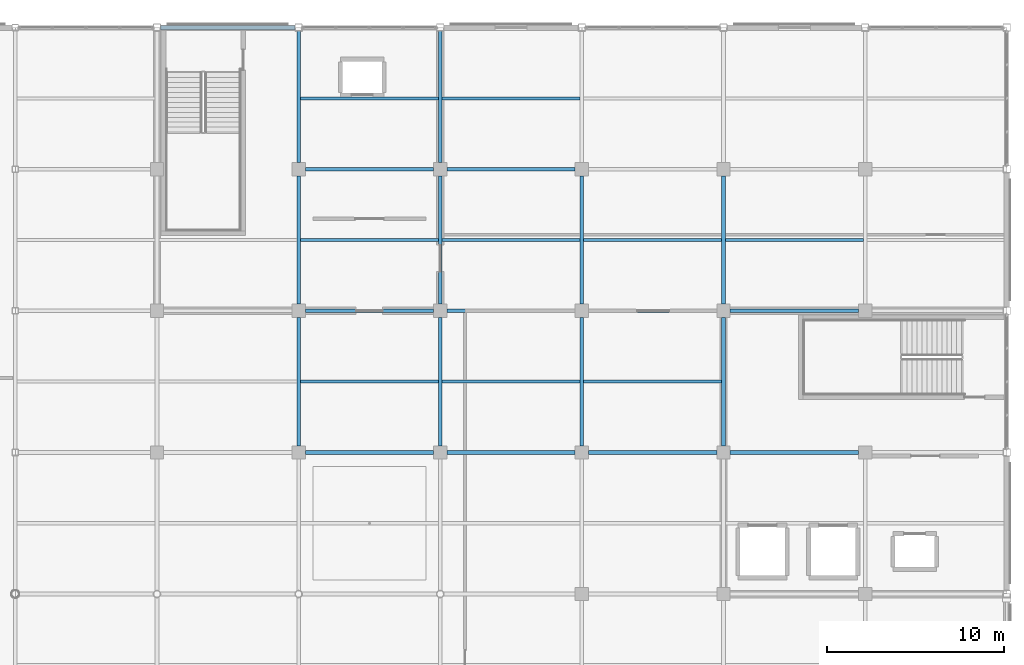
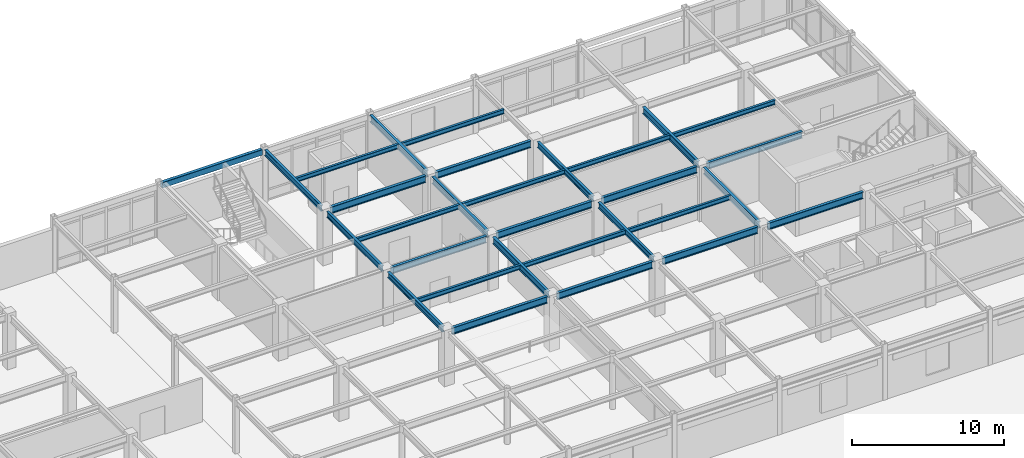
# One storey, part 62 of 111: 30 beams.
"""IFC4 building model written with IfcOpenShell, lengths in metres."""

from ifc_helpers import new_model, si_unit, direction, frame, origin, origin_2d, place, context, subcontext, project, spatial, hollow_rectangle, i_section, extrude, material, material_profile, profile_set, type_object, element, save


model = new_model("IFC4")

# Units and contexts
model_context = context("Model", 3, precision=1e-05, world=origin(), true_north=direction((0.0, 1.0)))
body_context = subcontext(model_context, "Body", "Model", "MODEL_VIEW")
ifc_project = project(units=[si_unit("LENGTHUNIT", "METRE"), si_unit("AREAUNIT", "SQUARE_METRE"), si_unit("VOLUMEUNIT", "CUBIC_METRE"), si_unit("PLANEANGLEUNIT", "RADIAN"), si_unit("MASSUNIT", "GRAM", prefix="KILO")], contexts=[model_context])

# Site, building, storey
site_placement = place(None, origin())
site = spatial("IfcSite", under=ifc_project, at=site_placement, CompositionType="ELEMENT")
building_placement = place(site_placement, origin())
building = spatial("IfcBuilding", under=site, at=building_placement, Name="Solmirada Galleria", CompositionType="ELEMENT")
storey_placement = place(building_placement, frame((0.0, 0.0, 10.39990234375)))
storey = spatial("IfcBuildingStorey", under=building, at=storey_placement, Name="L02", CompositionType="ELEMENT", Elevation=10.39990234375)

# Beams
ifc_material_1 = material(Name="Steel S355 / ASTM A992 Grade 50", Category="steel")
ifc_material_profile_1 = material_profile(ifc_material_1, i_section(OverallWidth=0.194091796875, OverallDepth=0.468994140625, WebThickness=0.0126953125, FlangeThickness=0.0205078125, FilletRadius=0.013916015625, at=origin_2d()), Name="W18X71")
ifc_profile_set_1 = profile_set([ifc_material_profile_1], Name="Steel S355 / ASTM A992 Grade 50")
beam_type_1 = type_object("IfcBeamType", Name="BM-GIRD-W18B", PredefinedType="BEAM", material=ifc_profile_set_1)
for number, where, z_axis, x_axis, name in (
    (1, (136.0, 96.375, 4.065673828125), (0.0, 1.0, 0.0), (-1.0, 0.0, 0.0), "Primary girder L03 Y(136, 96..104)"),
    (2, (136.0, 104.375, 4.065673828125), (0.0, 1.0, 0.0), (-1.0, 0.0, 0.0), "Primary girder L03 Y(136, 104..112)"),
):
    element("IfcBeam", number, at=place(storey_placement, frame(where, z_axis=z_axis, x_axis=x_axis)), inside=storey, type_object=beam_type_1, Name=name, PredefinedType="BEAM", context=body_context, shape_type="SweptSolid", body=[
        extrude(i_section(OverallWidth=0.194091796875, OverallDepth=0.468994140625, WebThickness=0.0126953125, FlangeThickness=0.0205078125, FilletRadius=0.013916015625, at=origin_2d()), origin(), (0.0, 0.0, 1.0), 7.25),
    ])
beam_1_placement = place(storey_placement, frame((136.0, 112.375, 4.065673828125), z_axis=(0.0, 1.0, 0.0), x_axis=(-1.0, 0.0, 0.0)))
element("IfcBeam", 3, at=beam_1_placement, inside=storey, type_object=beam_type_1, Name="Primary girder L03 Y(136, 112..120)", PredefinedType="BEAM", context=body_context, shape_type="SweptSolid", body=[
    extrude(i_section(OverallWidth=0.194091796875, OverallDepth=0.468994140625, WebThickness=0.0126953125, FlangeThickness=0.0205078125, FilletRadius=0.013916015625, at=origin_2d()), origin(), (0.0, 0.0, 1.0), 7.422119140625),
])
for number, where, z_axis, x_axis, name in (
    (4, (152.0, 96.375, 4.065673828125), (0.0, 1.0, 0.0), (-1.0, 0.0, 0.0), "Primary girder L03 Y(152, 96..104)"),
    (5, (152.0, 104.375, 4.065673828125), (0.0, 1.0, 0.0), (-1.0, 0.0, 0.0), "Primary girder L03 Y(152, 104..112)"),
):
    element("IfcBeam", number, at=place(storey_placement, frame(where, z_axis=z_axis, x_axis=x_axis)), inside=storey, type_object=beam_type_1, Name=name, PredefinedType="BEAM", context=body_context, shape_type="SweptSolid", body=[
        extrude(i_section(OverallWidth=0.194091796875, OverallDepth=0.468994140625, WebThickness=0.0126953125, FlangeThickness=0.0205078125, FilletRadius=0.013916015625, at=origin_2d()), origin(), (0.0, 0.0, 1.0), 7.25),
    ])
ifc_material_profile_2 = material_profile(ifc_material_1, i_section(OverallWidth=0.214111328125, OverallDepth=0.549072265625, WebThickness=0.0146484375, FlangeThickness=0.023681640625, FilletRadius=0.014892578125, at=origin_2d()), Name="W21X93")
ifc_profile_set_2 = profile_set([ifc_material_profile_2], Name="Steel S355 / ASTM A992 Grade 50")
beam_type_2 = type_object("IfcBeamType", Name="BM-GIRD-W21A", PredefinedType="BEAM", material=ifc_profile_set_2)
for number, where, z_axis, x_axis, name in (
    (6, (136.375, 96.0, 4.025634765625), (1.0, 0.0, 0.0), (0.0, 1.0, 0.0), "Primary beam L03 X(136..144, 96)"),
    (7, (136.375, 112.0, 4.025634765625), (1.0, 0.0, 0.0), (0.0, 1.0, 0.0), "Primary beam L03 X(136..144, 112)"),
    (8, (144.375, 96.0, 4.025634765625), (1.0, 0.0, 0.0), (0.0, 1.0, 0.0), "Primary beam L03 X(144..152, 96)"),
    (9, (144.375, 112.0, 4.025634765625), (1.0, 0.0, 0.0), (0.0, 1.0, 0.0), "Primary beam L03 X(144..152, 112)"),
    (10, (152.375, 96.0, 4.025634765625), (1.0, 0.0, 0.0), (0.0, 1.0, 0.0), "Primary beam L03 X(152..160, 96)"),
    (11, (160.375, 96.0, 4.025634765625), (1.0, 0.0, 0.0), (0.0, 1.0, 0.0), "Primary beam L03 X(160..168, 96)"),
):
    element("IfcBeam", number, at=place(storey_placement, frame(where, z_axis=z_axis, x_axis=x_axis)), inside=storey, type_object=beam_type_2, Name=name, PredefinedType="BEAM", context=body_context, shape_type="SweptSolid", body=[
        extrude(i_section(OverallWidth=0.214111328125, OverallDepth=0.549072265625, WebThickness=0.0146484375, FlangeThickness=0.023681640625, FilletRadius=0.014892578125, at=origin_2d()), origin(), (0.0, 0.0, 1.0), 7.25),
    ])
ifc_material_profile_3 = material_profile(ifc_material_1, i_section(OverallWidth=0.2099609375, OverallDepth=0.537109375, WebThickness=0.010986328125, FlangeThickness=0.017333984375, FilletRadius=0.014892578125, at=origin_2d()), Name="W21X68")
ifc_profile_set_3 = profile_set([ifc_material_profile_3], Name="Steel S355 / ASTM A992 Grade 50")
beam_type_3 = type_object("IfcBeamType", Name="BM-GIRD-W21B", PredefinedType="BEAM", material=ifc_profile_set_3)
for number, where, z_axis, x_axis, name in (
    (12, (136.375, 104.0, 4.031494140625), (1.0, 0.0, 0.0), (0.0, 1.0, 0.0), "Primary beam L03 X(136..144, 104)"),
    (13, (144.375, 104.0, 4.031494140625), (1.0, 0.0, 0.0), (0.0, 1.0, 0.0), "Primary beam L03 X(144..152, 104)"),
    (14, (152.375, 104.0, 4.031494140625), (1.0, 0.0, 0.0), (0.0, 1.0, 0.0), "Primary beam L03 X(152..160, 104)"),
    (15, (160.375, 104.0, 4.031494140625), (1.0, 0.0, 0.0), (0.0, 1.0, 0.0), "Primary beam L03 X(160..168, 104)"),
    (16, (144.0, 96.375, 4.031494140625), (0.0, 1.0, 0.0), (-1.0, 0.0, 0.0), "Primary girder L03 Y(144, 96..104)"),
    (17, (144.0, 104.375, 4.031494140625), (0.0, 1.0, 0.0), (-1.0, 0.0, 0.0), "Primary girder L03 Y(144, 104..112)"),
):
    element("IfcBeam", number, at=place(storey_placement, frame(where, z_axis=z_axis, x_axis=x_axis)), inside=storey, type_object=beam_type_3, Name=name, PredefinedType="BEAM", context=body_context, shape_type="SweptSolid", body=[
        extrude(i_section(OverallWidth=0.2099609375, OverallDepth=0.537109375, WebThickness=0.010986328125, FlangeThickness=0.017333984375, FilletRadius=0.014892578125, at=origin_2d()), origin(), (0.0, 0.0, 1.0), 7.25),
    ])
beam_2_placement = place(storey_placement, frame((144.0, 112.375, 4.031494140625), z_axis=(0.0, 1.0, 0.0), x_axis=(-1.0, 0.0, 0.0)))
element("IfcBeam", 18, at=beam_2_placement, inside=storey, type_object=beam_type_3, Name="Primary girder L03 Y(144, 112..120)", PredefinedType="BEAM", context=body_context, shape_type="SweptSolid", body=[
    extrude(i_section(OverallWidth=0.2099609375, OverallDepth=0.537109375, WebThickness=0.010986328125, FlangeThickness=0.017333984375, FilletRadius=0.014892578125, at=origin_2d()), origin(), (0.0, 0.0, 1.0), 7.422119140625),
])
for number, where, z_axis, x_axis, name in (
    (19, (160.0, 96.375, 4.031494140625), (0.0, 1.0, 0.0), (-1.0, 0.0, 0.0), "Primary girder L03 Y(160, 96..104)"),
    (20, (160.0, 104.375, 4.031494140625), (0.0, 1.0, 0.0), (-1.0, 0.0, 0.0), "Primary girder L03 Y(160, 104..112)"),
):
    element("IfcBeam", number, at=place(storey_placement, frame(where, z_axis=z_axis, x_axis=x_axis)), inside=storey, type_object=beam_type_3, Name=name, PredefinedType="BEAM", context=body_context, shape_type="SweptSolid", body=[
        extrude(i_section(OverallWidth=0.2099609375, OverallDepth=0.537109375, WebThickness=0.010986328125, FlangeThickness=0.017333984375, FilletRadius=0.014892578125, at=origin_2d()), origin(), (0.0, 0.0, 1.0), 7.25),
    ])
ifc_material_profile_4 = material_profile(ifc_material_1, i_section(OverallWidth=0.172119140625, OverallDepth=0.35791015625, WebThickness=0.0078125, FlangeThickness=0.01318359375, FilletRadius=0.011962890625, at=origin_2d()), Name="W14X38")
ifc_profile_set_4 = profile_set([ifc_material_profile_4], Name="Steel S355 / ASTM A992 Grade 50")
beam_type_4 = type_object("IfcBeamType", Name="BM-JST-W14A", PredefinedType="JOIST", material=ifc_profile_set_4)
for number, where, z_axis, x_axis, name in (
    (21, (136.096923828125, 100.0, 4.12109375), (1.0, 0.0, 0.0), (0.0, 1.0, 0.0), "Composite floor joist L03 (136..144, 100.0)"),
    (22, (136.096923828125, 108.0, 4.12109375), (1.0, 0.0, 0.0), (0.0, 1.0, 0.0), "Composite floor joist L03 (136..144, 108.0)"),
    (23, (136.096923828125, 116.0, 4.12109375), (1.0, 0.0, 0.0), (0.0, 1.0, 0.0), "Composite floor joist L03 (136..144, 116.0)"),
    (24, (144.10498046875, 100.0, 4.12109375), (1.0, 0.0, 0.0), (0.0, 1.0, 0.0), "Composite floor joist L03 (144..152, 100.0)"),
    (25, (144.10498046875, 108.0, 4.12109375), (1.0, 0.0, 0.0), (0.0, 1.0, 0.0), "Composite floor joist L03 (144..152, 108.0)"),
    (26, (144.10498046875, 116.0, 4.12109375), (1.0, 0.0, 0.0), (0.0, 1.0, 0.0), "Composite floor joist L03 (144..152, 116.0)"),
    (27, (152.096923828125, 100.0, 4.12109375), (1.0, 0.0, 0.0), (0.0, 1.0, 0.0), "Composite floor joist L03 (152..160, 100.0)"),
    (28, (152.096923828125, 108.0, 4.12109375), (1.0, 0.0, 0.0), (0.0, 1.0, 0.0), "Composite floor joist L03 (152..160, 108.0)"),
    (29, (160.10498046875, 108.0, 4.12109375), (1.0, 0.0, 0.0), (0.0, 1.0, 0.0), "Composite floor joist L03 (160..168, 108.0)"),
):
    element("IfcBeam", number, at=place(storey_placement, frame(where, z_axis=z_axis, x_axis=x_axis)), inside=storey, type_object=beam_type_4, Name=name, PredefinedType="JOIST", context=body_context, shape_type="SweptSolid", body=[
        extrude(i_section(OverallWidth=0.172119140625, OverallDepth=0.35791015625, WebThickness=0.0078125, FlangeThickness=0.01318359375, FilletRadius=0.011962890625, at=origin_2d()), origin(), (0.0, 0.0, 1.0), 7.798095703125),
    ])
ifc_material_2 = material(Name="Steel S355 / ASTM A500 Grade C", Category="steel")
ifc_material_profile_5 = material_profile(ifc_material_2, hollow_rectangle(XDim=0.25390625, YDim=0.45703125, WallThickness=0.01171875, InnerFilletRadius=0.01171875, OuterFilletRadius=0.023681640625, at=origin_2d()), Name="HSS18X10X1/2")
ifc_profile_set_5 = profile_set([ifc_material_profile_5], Name="Steel S355 / ASTM A500 Grade C")
beam_type_5 = type_object("IfcBeamType", Name="BM-SPAND-W18", PredefinedType="SPANDREL", material=ifc_profile_set_5)
beam_3_placement = place(storey_placement, frame((128.202880859375, 120.0, 4.071533203125), z_axis=(1.0, 0.0, 0.0), x_axis=(0.0, 1.0, 0.0)))
element("IfcBeam", 30, at=beam_3_placement, inside=storey, type_object=beam_type_5, Name="Primary beam L03 X(128..136, 120)", PredefinedType="SPANDREL", context=body_context, shape_type="SweptSolid", body=[
    extrude(hollow_rectangle(XDim=0.25390625, YDim=0.45703125, WallThickness=0.01171875, InnerFilletRadius=0.01171875, OuterFilletRadius=0.023681640625, at=origin_2d()), origin(), (0.0, 0.0, 1.0), 7.59423828125),
])

save(model, "model.ifc")
